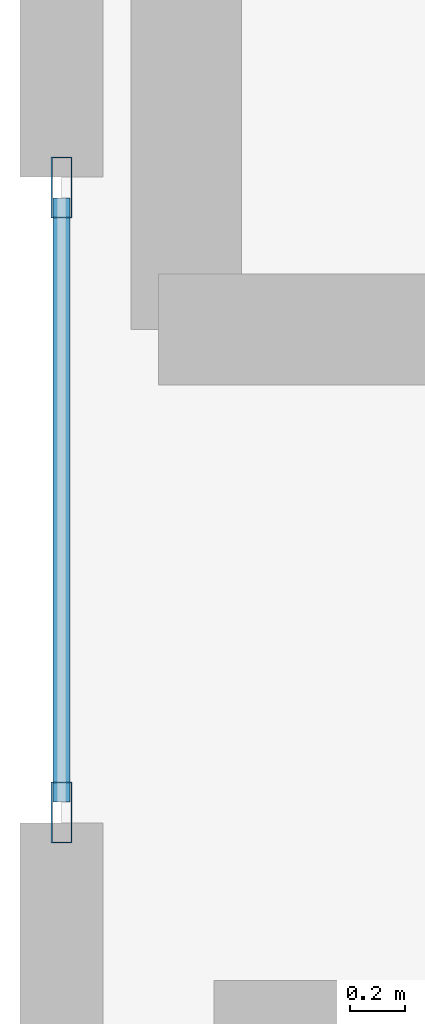
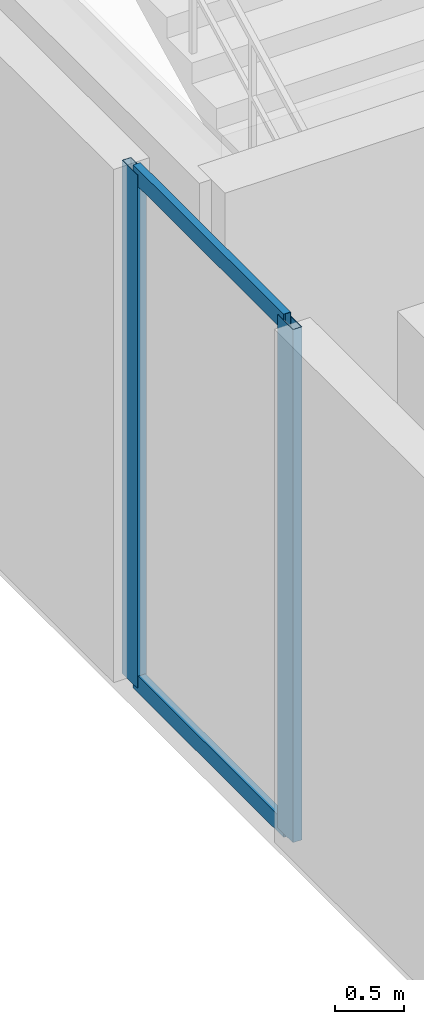
# One storey, part 3 of 33: 4 members, 1 element without a shape of its own.
"""IFC4 building model written with IfcOpenShell, lengths in metres."""

from ifc_helpers import new_model, si_unit, direction, frame, origin, origin_2d, place, context, subcontext, project, spatial, hollow_rectangle, extrude, material, layer, layer_set, material_profile, profile_set, type_object, element, aggregate, save


model = new_model("IFC4")

# Units and contexts
model_context = context("Model", 3, precision=1e-05, world=origin(), true_north=direction((0.0, 1.0)))
body_context = subcontext(model_context, "Body", "Model", "MODEL_VIEW")
ifc_project = project(units=[si_unit("LENGTHUNIT", "METRE"), si_unit("AREAUNIT", "SQUARE_METRE"), si_unit("VOLUMEUNIT", "CUBIC_METRE"), si_unit("PLANEANGLEUNIT", "RADIAN"), si_unit("MASSUNIT", "GRAM", prefix="KILO")], contexts=[model_context])

# Site, building, storey
site_placement = place(None, origin())
site = spatial("IfcSite", under=ifc_project, at=site_placement, CompositionType="ELEMENT")
building_placement = place(site_placement, origin())
building = spatial("IfcBuilding", under=site, at=building_placement, Name="Zuhayl Quay Hotel", CompositionType="ELEMENT")
storey_placement = place(building_placement, frame((0.0, 0.0, 18.0)))
storey = spatial("IfcBuildingStorey", under=building, at=storey_placement, Name="L03", CompositionType="ELEMENT", Elevation=18.0)

# Curtain wall, members
ifc_material_1 = material(Name="Anodised Aluminium 6063-T6", Category="aluminium")
ifc_layer = layer(ifc_material_1, 0.199951171875, Name="Anodised Aluminium 6063-T6", Category="aluminium")
ifc_layer_set = layer_set([ifc_layer], Name="Anodised Aluminium 6063-T6")
curtain_wall_type = type_object("IfcCurtainWallType", Name="CW_SYS_POD", PredefinedType="USERDEFINED", material=ifc_layer_set)
curtain_wall_placement = place(storey_placement, origin())
curtain_wall = element("IfcCurtainWall", 1, at=curtain_wall_placement, inside=storey, type_object=curtain_wall_type, Name="L03 Curtain Wall ENV_L03_E02_CW1", ObjectType="UNITISED CURTAIN WALL", PredefinedType="USERDEFINED")
ifc_material_2 = material(Name="Black-anodised aluminium 6063-T6", Category="aluminium")
ifc_material_profile_1 = material_profile(ifc_material_2, hollow_rectangle(XDim=0.074951171875, YDim=0.219970703125, WallThickness=0.00390625, at=origin_2d()), Name="ALU220X75")
ifc_profile_set_1 = profile_set([ifc_material_profile_1], Name="Black-anodised aluminium 6063-T6")
member_type_1 = type_object("IfcMemberType", Name="MB_CW_MUL_220", PredefinedType="MULLION", material=ifc_profile_set_1)
member_1_placement = place(storey_placement, frame((-36.0, -15.54248046875, 0.0), z_axis=(0.0, 0.0, 1.0), x_axis=(-1.0, 0.0, 0.0)))
member_1 = element("IfcMember", 2, at=member_1_placement, type_object=member_type_1, Name="CW-POD mullion 1", PredefinedType="MULLION", context=body_context, shape_type="SweptSolid", body=[
    extrude(hollow_rectangle(XDim=0.074951171875, YDim=0.219970703125, WallThickness=0.00390625, at=origin_2d()), origin(), (0.0, 0.0, 1.0), 4.5400390625),
])
member_2_placement = place(storey_placement, frame((-36.0, -13.28759765625, 0.0), z_axis=(0.0, 0.0, 1.0), x_axis=(-1.0, 0.0, 0.0)))
member_2 = element("IfcMember", 3, at=member_2_placement, type_object=member_type_1, Name="CW-POD mullion 2", PredefinedType="MULLION", context=body_context, shape_type="SweptSolid", body=[
    extrude(hollow_rectangle(XDim=0.074951171875, YDim=0.219970703125, WallThickness=0.00390625, at=origin_2d()), origin(), (0.0, 0.0, 1.0), 4.5400390625),
])
ifc_material_profile_2 = material_profile(ifc_material_2, hollow_rectangle(XDim=0.06005859375, YDim=0.14990234375, WallThickness=0.00341796875, at=origin_2d()), Name="ALU150X60")
ifc_profile_set_2 = profile_set([ifc_material_profile_2], Name="Black-anodised aluminium 6063-T6")
member_type_2 = type_object("IfcMemberType", Name="MB_CW_TRN_150", PredefinedType="USERDEFINED", material=ifc_profile_set_2)
member_3_placement = place(storey_placement, frame((-36.0, -15.5048828125, 0.030029296875), z_axis=(0.0, 1.0, 0.0), x_axis=(-1.0, 0.0, 0.0)))
member_3 = element("IfcMember", 4, at=member_3_placement, type_object=member_type_2, Name="CW-POD transom 1.1", ObjectType="TRANSOM", PredefinedType="USERDEFINED", context=body_context, shape_type="SweptSolid", body=[
    extrude(hollow_rectangle(XDim=0.06005859375, YDim=0.14990234375, WallThickness=0.00341796875, at=origin_2d()), origin(), (0.0, 0.0, 1.0), 2.179931640625),
])
member_4_placement = place(storey_placement, frame((-36.0, -15.5048828125, 4.510009765625), z_axis=(0.0, 1.0, 0.0), x_axis=(-1.0, 0.0, 0.0)))
member_4 = element("IfcMember", 5, at=member_4_placement, type_object=member_type_2, Name="CW-POD transom 1.2", ObjectType="TRANSOM", PredefinedType="USERDEFINED", context=body_context, shape_type="SweptSolid", body=[
    extrude(hollow_rectangle(XDim=0.06005859375, YDim=0.14990234375, WallThickness=0.00341796875, at=origin_2d()), origin(), (0.0, 0.0, 1.0), 2.179931640625),
])
aggregate(curtain_wall, [member_1, member_2, member_3, member_4])

save(model, "model.ifc")
